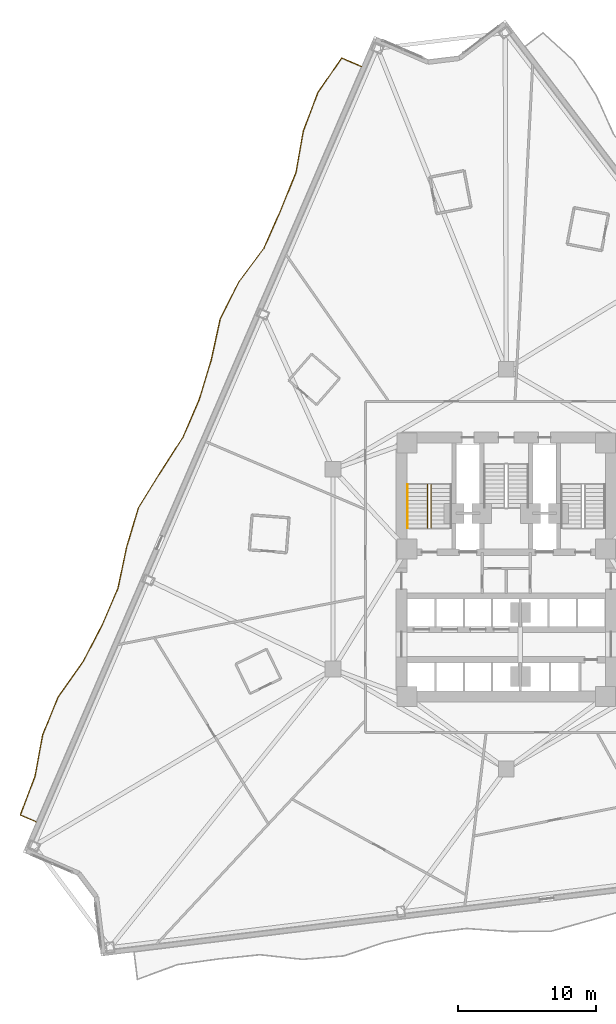
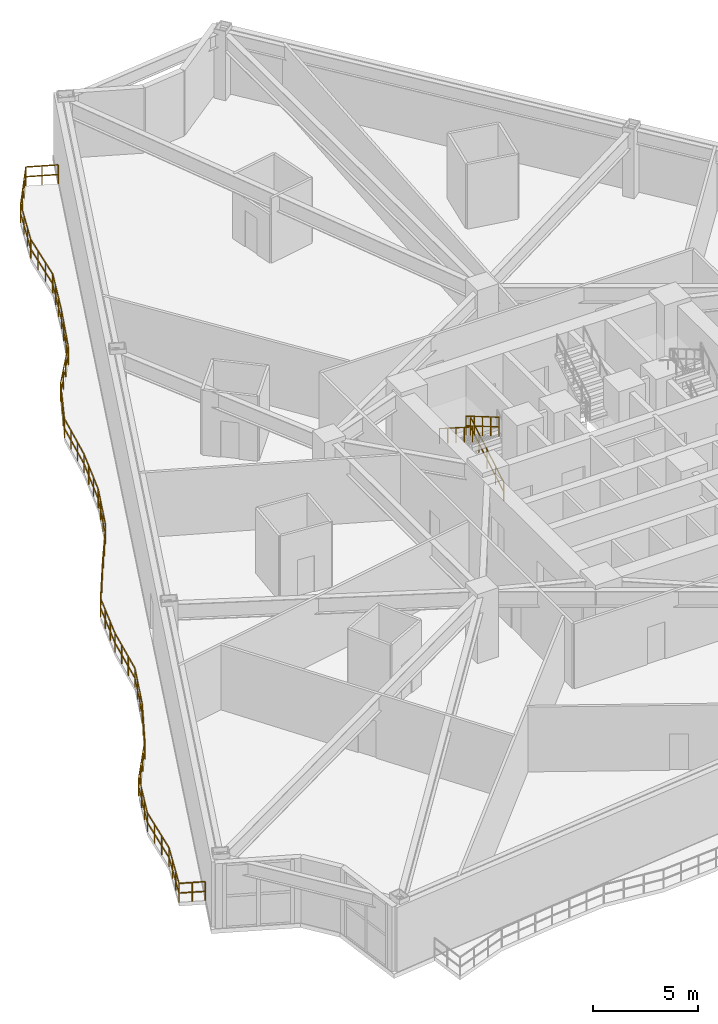
# One storey, part 15 of 17: 4 railings.
"""IFC4 building model written with IfcOpenShell, lengths in metres."""

from ifc_helpers import new_model, si_unit, direction, frame, origin, origin_2d, place, context, subcontext, project, spatial, rectangle, extrude, material, type_object, element, save


model = new_model("IFC4")

# Units and contexts
model_context = context("Model", 3, precision=1e-05, world=origin(), true_north=direction((0.0, 1.0)))
body_context = subcontext(model_context, "Body", "Model", "MODEL_VIEW")
ifc_project = project(units=[si_unit("LENGTHUNIT", "METRE"), si_unit("AREAUNIT", "SQUARE_METRE"), si_unit("VOLUMEUNIT", "CUBIC_METRE"), si_unit("PLANEANGLEUNIT", "RADIAN"), si_unit("MASSUNIT", "GRAM", prefix="KILO")], contexts=[model_context])

# Site, building, storey
site_placement = place(None, origin())
site = spatial("IfcSite", under=ifc_project, at=site_placement, CompositionType="ELEMENT")
building_placement = place(site_placement, origin())
building = spatial("IfcBuilding", under=site, at=building_placement, Name="Apsidion Concourse Tower", CompositionType="ELEMENT")
storey_placement = place(building_placement, frame((0.0, 0.0, 75.0)))
storey = spatial("IfcBuildingStorey", under=building, at=storey_placement, Name="L16", CompositionType="ELEMENT", Elevation=75.0)

# Railings
ifc_material = material(Name="Brushed stainless steel 316", Category="steel")
railing_type_1 = type_object("IfcRailingType", Name="RL-BAL-1120", PredefinedType="BALUSTRADE", material=ifc_material)
railing_1_placement = place(storey_placement, frame((-34.10107421875, -18.32958984375, 0.0)))
element("IfcRailing", 1, at=railing_1_placement, inside=storey, type_object=railing_type_1, Name="L16 Face 1 Rippling Balcony Balustrade", PredefinedType="BALUSTRADE", context=body_context, shape_type="SweptSolid", body=[
    extrude(rectangle(XDim=0.048095703125, YDim=0.048095703125, at=origin_2d()), frame((0.0, 0.0, 1.09619140625), z_axis=(-0.918547942359, 0.395309597137, 0.0), x_axis=(-0.395309597137, -0.918547942359, 0.0)), (0.0, 0.0, 1.0), 1.25),
    extrude(rectangle(XDim=0.048095703125, YDim=0.048095703125, at=origin_2d()), frame((0.0, 0.0, 0.5361328125), z_axis=(-0.918547942359, 0.395309597137, 0.0), x_axis=(-0.395309597137, -0.918547942359, 0.0)), (0.0, 0.0, 1.0), 1.25),
    extrude(rectangle(XDim=0.048095703125, YDim=0.048095703125, at=origin_2d()), frame((-1.148193359375, 0.494140625, 1.09619140625), z_axis=(0.355206328313, 0.934787924786, 0.0), x_axis=(-0.934787924786, 0.355206328313, 0.0)), (0.0, 0.0, 1.0), 2.98583984375),
    extrude(rectangle(XDim=0.048095703125, YDim=0.048095703125, at=origin_2d()), frame((-1.148193359375, 0.494140625, 0.5361328125), z_axis=(0.355206328313, 0.934787924786, 0.0), x_axis=(-0.934787924786, 0.355206328313, 0.0)), (0.0, 0.0, 1.0), 2.98583984375),
    extrude(rectangle(XDim=0.048095703125, YDim=0.048095703125, at=origin_2d()), frame((-0.087646484375, 3.28515625, 1.09619140625), z_axis=(0.180717676953, 0.983535012715, 0.0), x_axis=(-0.983535012715, 0.180717676953, 0.0)), (0.0, 0.0, 1.0), 3.059814453125),
    extrude(rectangle(XDim=0.048095703125, YDim=0.048095703125, at=origin_2d()), frame((-0.087646484375, 3.28515625, 0.5361328125), z_axis=(0.180717676953, 0.983535012715, 0.0), x_axis=(-0.983535012715, 0.180717676953, 0.0)), (0.0, 0.0, 1.0), 3.059814453125),
    extrude(rectangle(XDim=0.048095703125, YDim=0.048095703125, at=origin_2d()), frame((0.46533203125, 6.294677734375, 1.09619140625), z_axis=(0.37789986052, 0.925846475081, 0.0), x_axis=(-0.925846475081, 0.37789986052, 0.0)), (0.0, 0.0, 1.0), 2.9833984375),
    extrude(rectangle(XDim=0.048095703125, YDim=0.048095703125, at=origin_2d()), frame((0.46533203125, 6.294677734375, 0.5361328125), z_axis=(0.37789986052, 0.925846475081, 0.0), x_axis=(-0.925846475081, 0.37789986052, 0.0)), (0.0, 0.0, 1.0), 2.9833984375),
    extrude(rectangle(XDim=0.048095703125, YDim=0.048095703125, at=origin_2d()), frame((1.5927734375, 9.056884765625, 1.09619140625), z_axis=(0.578714383269, 0.815530295328, 0.0), x_axis=(-0.815530295328, 0.578714383269, 0.0)), (0.0, 0.0, 1.0), 3.050537109375),
    extrude(rectangle(XDim=0.048095703125, YDim=0.048095703125, at=origin_2d()), frame((1.5927734375, 9.056884765625, 0.5361328125), z_axis=(0.578714383269, 0.815530295328, 0.0), x_axis=(-0.815530295328, 0.578714383269, 0.0)), (0.0, 0.0, 1.0), 3.050537109375),
    extrude(rectangle(XDim=0.048095703125, YDim=0.048095703125, at=origin_2d()), frame((3.358154296875, 11.544677734375, 1.09619140625), z_axis=(0.464979428455, 0.885321484611, 0.0), x_axis=(-0.885321484611, 0.464979428455, 0.0)), (0.0, 0.0, 1.0), 2.99169921875),
    extrude(rectangle(XDim=0.048095703125, YDim=0.048095703125, at=origin_2d()), frame((3.358154296875, 11.544677734375, 0.5361328125), z_axis=(0.464979428455, 0.885321484611, 0.0), x_axis=(-0.885321484611, 0.464979428455, 0.0)), (0.0, 0.0, 1.0), 2.99169921875),
    extrude(rectangle(XDim=0.048095703125, YDim=0.048095703125, at=origin_2d()), frame((4.749267578125, 14.193359375, 1.09619140625), z_axis=(0.395479447574, 0.9184748263, 0.0), x_axis=(-0.9184748263, 0.395479447574, 0.0)), (0.0, 0.0, 1.0), 2.98291015625),
    extrude(rectangle(XDim=0.048095703125, YDim=0.048095703125, at=origin_2d()), frame((4.749267578125, 14.193359375, 0.5361328125), z_axis=(0.395479447574, 0.9184748263, 0.0), x_axis=(-0.9184748263, 0.395479447574, 0.0)), (0.0, 0.0, 1.0), 2.98291015625),
    extrude(rectangle(XDim=0.048095703125, YDim=0.048095703125, at=origin_2d()), frame((5.928955078125, 16.93310546875, 1.09619140625), z_axis=(0.206459339086, 0.97845518104, 0.0), x_axis=(-0.97845518104, 0.206459339086, 0.0)), (0.0, 0.0, 1.0), 3.042724609375),
    extrude(rectangle(XDim=0.048095703125, YDim=0.048095703125, at=origin_2d()), frame((5.928955078125, 16.93310546875, 0.5361328125), z_axis=(0.206459339086, 0.97845518104, 0.0), x_axis=(-0.97845518104, 0.206459339086, 0.0)), (0.0, 0.0, 1.0), 3.042724609375),
    extrude(rectangle(XDim=0.048095703125, YDim=0.048095703125, at=origin_2d()), frame((6.55712890625, 19.91015625, 1.09619140625), z_axis=(0.286393116531, 0.958112197398, 0.0), x_axis=(-0.958112197398, 0.286393116531, 0.0)), (0.0, 0.0, 1.0), 3.003173828125),
    extrude(rectangle(XDim=0.048095703125, YDim=0.048095703125, at=origin_2d()), frame((6.55712890625, 19.91015625, 0.5361328125), z_axis=(0.286393116531, 0.958112197398, 0.0), x_axis=(-0.958112197398, 0.286393116531, 0.0)), (0.0, 0.0, 1.0), 3.003173828125),
    extrude(rectangle(XDim=0.048095703125, YDim=0.048095703125, at=origin_2d()), frame((7.417236328125, 22.78759765625, 1.09619140625), z_axis=(0.526362975415, 0.850259970899, 0.0), x_axis=(-0.850259970899, 0.526362975415, 0.0)), (0.0, 0.0, 1.0), 3.015869140625),
    extrude(rectangle(XDim=0.048095703125, YDim=0.048095703125, at=origin_2d()), frame((7.417236328125, 22.78759765625, 0.5361328125), z_axis=(0.526362975415, 0.850259970899, 0.0), x_axis=(-0.850259970899, 0.526362975415, 0.0)), (0.0, 0.0, 1.0), 3.015869140625),
    extrude(rectangle(XDim=0.048095703125, YDim=0.048095703125, at=origin_2d()), frame((9.004638671875, 25.351806640625, 1.09619140625), z_axis=(0.542893180303, 0.839801759215, 0.0), x_axis=(-0.839801759215, 0.542893180303, 0.0)), (0.0, 0.0, 1.0), 3.025146484375),
    extrude(rectangle(XDim=0.048095703125, YDim=0.048095703125, at=origin_2d()), frame((9.004638671875, 25.351806640625, 0.5361328125), z_axis=(0.542893180303, 0.839801759215, 0.0), x_axis=(-0.839801759215, 0.542893180303, 0.0)), (0.0, 0.0, 1.0), 3.025146484375),
    extrude(rectangle(XDim=0.048095703125, YDim=0.048095703125, at=origin_2d()), frame((10.64697265625, 27.892333984375, 1.09619140625), z_axis=(0.395410399338, 0.918504554205, 0.0), x_axis=(-0.918504554205, 0.395410399338, 0.0)), (0.0, 0.0, 1.0), 2.98291015625),
    extrude(rectangle(XDim=0.048095703125, YDim=0.048095703125, at=origin_2d()), frame((10.64697265625, 27.892333984375, 0.5361328125), z_axis=(0.395410399338, 0.918504554205, 0.0), x_axis=(-0.918504554205, 0.395410399338, 0.0)), (0.0, 0.0, 1.0), 2.98291015625),
    extrude(rectangle(XDim=0.048095703125, YDim=0.048095703125, at=origin_2d()), frame((11.826416015625, 30.632080078125, 1.09619140625), z_axis=(0.290443038101, 0.956892283185, 0.0), x_axis=(-0.956892283185, 0.290443038101, 0.0)), (0.0, 0.0, 1.0), 3.001708984375),
    extrude(rectangle(XDim=0.048095703125, YDim=0.048095703125, at=origin_2d()), frame((11.826416015625, 30.632080078125, 0.5361328125), z_axis=(0.290443038101, 0.956892283185, 0.0), x_axis=(-0.956892283185, 0.290443038101, 0.0)), (0.0, 0.0, 1.0), 3.001708984375),
    extrude(rectangle(XDim=0.048095703125, YDim=0.048095703125, at=origin_2d()), frame((12.6982421875, 33.50439453125, 1.09619140625), z_axis=(0.213917356843, 0.976851761754, 0.0), x_axis=(-0.976851761754, 0.213917356843, 0.0)), (0.0, 0.0, 1.0), 3.0380859375),
    extrude(rectangle(XDim=0.048095703125, YDim=0.048095703125, at=origin_2d()), frame((12.6982421875, 33.50439453125, 0.5361328125), z_axis=(0.213917356843, 0.976851761754, 0.0), x_axis=(-0.976851761754, 0.213917356843, 0.0)), (0.0, 0.0, 1.0), 3.0380859375),
    extrude(rectangle(XDim=0.048095703125, YDim=0.048095703125, at=origin_2d()), frame((13.34814453125, 36.47216796875, 1.09619140625), z_axis=(0.447278962075, 0.894394504727, 0.0), x_axis=(-0.894394504727, 0.447278962075, 0.0)), (0.0, 0.0, 1.0), 2.98779296875),
    extrude(rectangle(XDim=0.048095703125, YDim=0.048095703125, at=origin_2d()), frame((13.34814453125, 36.47216796875, 0.5361328125), z_axis=(0.447278962075, 0.894394504727, 0.0), x_axis=(-0.894394504727, 0.447278962075, 0.0)), (0.0, 0.0, 1.0), 2.98779296875),
    extrude(rectangle(XDim=0.048095703125, YDim=0.048095703125, at=origin_2d()), frame((14.6845703125, 39.14453125, 1.09619140625), z_axis=(0.597206203424, 0.802087744945, 0.0), x_axis=(-0.802087744945, 0.597206203424, 0.0)), (0.0, 0.0, 1.0), 3.06591796875),
    extrude(rectangle(XDim=0.048095703125, YDim=0.048095703125, at=origin_2d()), frame((14.6845703125, 39.14453125, 0.5361328125), z_axis=(0.597206203424, 0.802087744945, 0.0), x_axis=(-0.802087744945, 0.597206203424, 0.0)), (0.0, 0.0, 1.0), 3.06591796875),
    extrude(rectangle(XDim=0.048095703125, YDim=0.048095703125, at=origin_2d()), frame((16.515625, 41.603759765625, 1.09619140625), z_axis=(0.405021944577, 0.914306963996, 0.0), x_axis=(-0.914306963996, 0.405021944577, 0.0)), (0.0, 0.0, 1.0), 2.983154296875),
    extrude(rectangle(XDim=0.048095703125, YDim=0.048095703125, at=origin_2d()), frame((16.515625, 41.603759765625, 0.5361328125), z_axis=(0.405021944577, 0.914306963996, 0.0), x_axis=(-0.914306963996, 0.405021944577, 0.0)), (0.0, 0.0, 1.0), 2.983154296875),
    extrude(rectangle(XDim=0.048095703125, YDim=0.048095703125, at=origin_2d()), frame((17.723876953125, 44.331298828125, 1.09619140625), z_axis=(0.375830463539, 0.926688438838, 0.0), x_axis=(-0.926688438838, 0.375830463539, 0.0)), (0.0, 0.0, 1.0), 2.983642578125),
    extrude(rectangle(XDim=0.048095703125, YDim=0.048095703125, at=origin_2d()), frame((17.723876953125, 44.331298828125, 0.5361328125), z_axis=(0.375830463539, 0.926688438838, 0.0), x_axis=(-0.926688438838, 0.375830463539, 0.0)), (0.0, 0.0, 1.0), 2.983642578125),
    extrude(rectangle(XDim=0.048095703125, YDim=0.048095703125, at=origin_2d()), frame((18.84521484375, 47.09619140625, 1.09619140625), z_axis=(0.174312504722, 0.984690383165, 0.0), x_axis=(-0.984690383165, 0.174312504722, 0.0)), (0.0, 0.0, 1.0), 3.064453125),
    extrude(rectangle(XDim=0.048095703125, YDim=0.048095703125, at=origin_2d()), frame((18.84521484375, 47.09619140625, 0.5361328125), z_axis=(0.174312504722, 0.984690383165, 0.0), x_axis=(-0.984690383165, 0.174312504722, 0.0)), (0.0, 0.0, 1.0), 3.064453125),
    extrude(rectangle(XDim=0.048095703125, YDim=0.048095703125, at=origin_2d()), frame((19.37939453125, 50.11376953125, 1.09619140625), z_axis=(0.354114388008, 0.935202117302, 0.0), x_axis=(-0.935202117302, 0.354114388008, 0.0)), (0.0, 0.0, 1.0), 2.986083984375),
    extrude(rectangle(XDim=0.048095703125, YDim=0.048095703125, at=origin_2d()), frame((19.37939453125, 50.11376953125, 0.5361328125), z_axis=(0.354114388008, 0.935202117302, 0.0), x_axis=(-0.935202117302, 0.354114388008, 0.0)), (0.0, 0.0, 1.0), 2.986083984375),
    extrude(rectangle(XDim=0.048095703125, YDim=0.048095703125, at=origin_2d()), frame((20.436767578125, 52.90625, 1.09619140625), z_axis=(0.568475323995, 0.822700313607, 0.0), x_axis=(-0.822700313607, 0.568475323995, 0.0)), (0.0, 0.0, 1.0), 3.042236328125),
    extrude(rectangle(XDim=0.048095703125, YDim=0.048095703125, at=origin_2d()), frame((20.436767578125, 52.90625, 0.5361328125), z_axis=(0.568475323995, 0.822700313607, 0.0), x_axis=(-0.822700313607, 0.568475323995, 0.0)), (0.0, 0.0, 1.0), 3.042236328125),
    extrude(rectangle(XDim=0.048095703125, YDim=0.048095703125, at=origin_2d()), frame((22.166259765625, 55.4091796875, 1.09619140625), z_axis=(0.918541108117, -0.395325476916, 0.0), x_axis=(0.395325476916, 0.918541108117, 0.0)), (0.0, 0.0, 1.0), 1.550048828125),
    extrude(rectangle(XDim=0.048095703125, YDim=0.048095703125, at=origin_2d()), frame((22.166259765625, 55.4091796875, 0.5361328125), z_axis=(0.918541108117, -0.395325476916, 0.0), x_axis=(0.395325476916, 0.918541108117, 0.0)), (0.0, 0.0, 1.0), 1.550048828125),
    extrude(rectangle(XDim=0.0419921875, YDim=0.0419921875, at=origin_2d()), origin(), (0.0, 0.0, 1.0), 1.072021484375),
    extrude(rectangle(XDim=0.0419921875, YDim=0.0419921875, at=origin_2d()), frame((-0.57421875, 0.2470703125, 0.0)), (0.0, 0.0, 1.0), 1.072021484375),
    extrude(rectangle(XDim=0.0419921875, YDim=0.0419921875, at=origin_2d()), frame((-1.148193359375, 0.494140625, 0.0)), (0.0, 0.0, 1.0), 1.072021484375),
    extrude(rectangle(XDim=0.0419921875, YDim=0.0419921875, at=origin_2d()), frame((-0.794677734375, 1.424560546875, 0.0)), (0.0, 0.0, 1.0), 1.072021484375),
    extrude(rectangle(XDim=0.0419921875, YDim=0.0419921875, at=origin_2d()), frame((-0.441162109375, 2.354736328125, 0.0)), (0.0, 0.0, 1.0), 1.072021484375),
    extrude(rectangle(XDim=0.0419921875, YDim=0.0419921875, at=origin_2d()), frame((-0.087646484375, 3.28515625, 0.0)), (0.0, 0.0, 1.0), 1.072021484375),
    extrude(rectangle(XDim=0.0419921875, YDim=0.0419921875, at=origin_2d()), frame((0.0966796875, 4.288330078125, 0.0)), (0.0, 0.0, 1.0), 1.072021484375),
    extrude(rectangle(XDim=0.0419921875, YDim=0.0419921875, at=origin_2d()), frame((0.281005859375, 5.29150390625, 0.0)), (0.0, 0.0, 1.0), 1.072021484375),
    extrude(rectangle(XDim=0.0419921875, YDim=0.0419921875, at=origin_2d()), frame((0.46533203125, 6.294677734375, 0.0)), (0.0, 0.0, 1.0), 1.072021484375),
    extrude(rectangle(XDim=0.0419921875, YDim=0.0419921875, at=origin_2d()), frame((0.841064453125, 7.21533203125, 0.0)), (0.0, 0.0, 1.0), 1.072021484375),
    extrude(rectangle(XDim=0.0419921875, YDim=0.0419921875, at=origin_2d()), frame((1.217041015625, 8.13623046875, 0.0)), (0.0, 0.0, 1.0), 1.072021484375),
    extrude(rectangle(XDim=0.0419921875, YDim=0.0419921875, at=origin_2d()), frame((1.5927734375, 9.056884765625, 0.0)), (0.0, 0.0, 1.0), 1.072021484375),
    extrude(rectangle(XDim=0.0419921875, YDim=0.0419921875, at=origin_2d()), frame((2.18115234375, 9.88623046875, 0.0)), (0.0, 0.0, 1.0), 1.072021484375),
    extrude(rectangle(XDim=0.0419921875, YDim=0.0419921875, at=origin_2d()), frame((2.769775390625, 10.71533203125, 0.0)), (0.0, 0.0, 1.0), 1.072021484375),
    extrude(rectangle(XDim=0.0419921875, YDim=0.0419921875, at=origin_2d()), frame((3.358154296875, 11.544677734375, 0.0)), (0.0, 0.0, 1.0), 1.072021484375),
    extrude(rectangle(XDim=0.0419921875, YDim=0.0419921875, at=origin_2d()), frame((3.82177734375, 12.427490234375, 0.0)), (0.0, 0.0, 1.0), 1.072021484375),
    extrude(rectangle(XDim=0.0419921875, YDim=0.0419921875, at=origin_2d()), frame((4.28564453125, 13.310546875, 0.0)), (0.0, 0.0, 1.0), 1.072021484375),
    extrude(rectangle(XDim=0.0419921875, YDim=0.0419921875, at=origin_2d()), frame((4.749267578125, 14.193359375, 0.0)), (0.0, 0.0, 1.0), 1.072021484375),
    extrude(rectangle(XDim=0.0419921875, YDim=0.0419921875, at=origin_2d()), frame((5.142578125, 15.106689453125, 0.0)), (0.0, 0.0, 1.0), 1.072021484375),
    extrude(rectangle(XDim=0.0419921875, YDim=0.0419921875, at=origin_2d()), frame((5.53564453125, 16.019775390625, 0.0)), (0.0, 0.0, 1.0), 1.072021484375),
    extrude(rectangle(XDim=0.0419921875, YDim=0.0419921875, at=origin_2d()), frame((5.928955078125, 16.93310546875, 0.0)), (0.0, 0.0, 1.0), 1.072021484375),
    extrude(rectangle(XDim=0.0419921875, YDim=0.0419921875, at=origin_2d()), frame((6.138427734375, 17.925537109375, 0.0)), (0.0, 0.0, 1.0), 1.072021484375),
    extrude(rectangle(XDim=0.0419921875, YDim=0.0419921875, at=origin_2d()), frame((6.34765625, 18.917724609375, 0.0)), (0.0, 0.0, 1.0), 1.072021484375),
    extrude(rectangle(XDim=0.0419921875, YDim=0.0419921875, at=origin_2d()), frame((6.55712890625, 19.91015625, 0.0)), (0.0, 0.0, 1.0), 1.072021484375),
    extrude(rectangle(XDim=0.0419921875, YDim=0.0419921875, at=origin_2d()), frame((6.84375, 20.869384765625, 0.0)), (0.0, 0.0, 1.0), 1.072021484375),
    extrude(rectangle(XDim=0.0419921875, YDim=0.0419921875, at=origin_2d()), frame((7.130615234375, 21.828369140625, 0.0)), (0.0, 0.0, 1.0), 1.072021484375),
    extrude(rectangle(XDim=0.0419921875, YDim=0.0419921875, at=origin_2d()), frame((7.417236328125, 22.78759765625, 0.0)), (0.0, 0.0, 1.0), 1.072021484375),
    extrude(rectangle(XDim=0.0419921875, YDim=0.0419921875, at=origin_2d()), frame((7.9462890625, 23.642333984375, 0.0)), (0.0, 0.0, 1.0), 1.072021484375),
    extrude(rectangle(XDim=0.0419921875, YDim=0.0419921875, at=origin_2d()), frame((8.4755859375, 24.4970703125, 0.0)), (0.0, 0.0, 1.0), 1.072021484375),
    extrude(rectangle(XDim=0.0419921875, YDim=0.0419921875, at=origin_2d()), frame((9.004638671875, 25.351806640625, 0.0)), (0.0, 0.0, 1.0), 1.072021484375),
    extrude(rectangle(XDim=0.0419921875, YDim=0.0419921875, at=origin_2d()), frame((9.552001953125, 26.19873046875, 0.0)), (0.0, 0.0, 1.0), 1.072021484375),
    extrude(rectangle(XDim=0.0419921875, YDim=0.0419921875, at=origin_2d()), frame((10.099609375, 27.04541015625, 0.0)), (0.0, 0.0, 1.0), 1.072021484375),
    extrude(rectangle(XDim=0.0419921875, YDim=0.0419921875, at=origin_2d()), frame((10.64697265625, 27.892333984375, 0.0)), (0.0, 0.0, 1.0), 1.072021484375),
    extrude(rectangle(XDim=0.0419921875, YDim=0.0419921875, at=origin_2d()), frame((11.0400390625, 28.8056640625, 0.0)), (0.0, 0.0, 1.0), 1.072021484375),
    extrude(rectangle(XDim=0.0419921875, YDim=0.0419921875, at=origin_2d()), frame((11.433349609375, 29.71875, 0.0)), (0.0, 0.0, 1.0), 1.072021484375),
    extrude(rectangle(XDim=0.0419921875, YDim=0.0419921875, at=origin_2d()), frame((11.826416015625, 30.632080078125, 0.0)), (0.0, 0.0, 1.0), 1.072021484375),
    extrude(rectangle(XDim=0.0419921875, YDim=0.0419921875, at=origin_2d()), frame((12.116943359375, 31.589599609375, 0.0)), (0.0, 0.0, 1.0), 1.072021484375),
    extrude(rectangle(XDim=0.0419921875, YDim=0.0419921875, at=origin_2d()), frame((12.40771484375, 32.546875, 0.0)), (0.0, 0.0, 1.0), 1.072021484375),
    extrude(rectangle(XDim=0.0419921875, YDim=0.0419921875, at=origin_2d()), frame((12.6982421875, 33.50439453125, 0.0)), (0.0, 0.0, 1.0), 1.072021484375),
    extrude(rectangle(XDim=0.0419921875, YDim=0.0419921875, at=origin_2d()), frame((12.914794921875, 34.49365234375, 0.0)), (0.0, 0.0, 1.0), 1.072021484375),
    extrude(rectangle(XDim=0.0419921875, YDim=0.0419921875, at=origin_2d()), frame((13.131591796875, 35.48291015625, 0.0)), (0.0, 0.0, 1.0), 1.072021484375),
    extrude(rectangle(XDim=0.0419921875, YDim=0.0419921875, at=origin_2d()), frame((13.34814453125, 36.47216796875, 0.0)), (0.0, 0.0, 1.0), 1.072021484375),
    extrude(rectangle(XDim=0.0419921875, YDim=0.0419921875, at=origin_2d()), frame((13.793701171875, 37.363037109375, 0.0)), (0.0, 0.0, 1.0), 1.072021484375),
    extrude(rectangle(XDim=0.0419921875, YDim=0.0419921875, at=origin_2d()), frame((14.239013671875, 38.253662109375, 0.0)), (0.0, 0.0, 1.0), 1.072021484375),
    extrude(rectangle(XDim=0.0419921875, YDim=0.0419921875, at=origin_2d()), frame((14.6845703125, 39.14453125, 0.0)), (0.0, 0.0, 1.0), 1.072021484375),
    extrude(rectangle(XDim=0.0419921875, YDim=0.0419921875, at=origin_2d()), frame((15.294921875, 39.96435546875, 0.0)), (0.0, 0.0, 1.0), 1.072021484375),
    extrude(rectangle(XDim=0.0419921875, YDim=0.0419921875, at=origin_2d()), frame((15.9052734375, 40.783935546875, 0.0)), (0.0, 0.0, 1.0), 1.072021484375),
    extrude(rectangle(XDim=0.0419921875, YDim=0.0419921875, at=origin_2d()), frame((16.515625, 41.603759765625, 0.0)), (0.0, 0.0, 1.0), 1.072021484375),
    extrude(rectangle(XDim=0.0419921875, YDim=0.0419921875, at=origin_2d()), frame((16.91845703125, 42.512939453125, 0.0)), (0.0, 0.0, 1.0), 1.072021484375),
    extrude(rectangle(XDim=0.0419921875, YDim=0.0419921875, at=origin_2d()), frame((17.321044921875, 43.422119140625, 0.0)), (0.0, 0.0, 1.0), 1.072021484375),
    extrude(rectangle(XDim=0.0419921875, YDim=0.0419921875, at=origin_2d()), frame((17.723876953125, 44.331298828125, 0.0)), (0.0, 0.0, 1.0), 1.072021484375),
    extrude(rectangle(XDim=0.0419921875, YDim=0.0419921875, at=origin_2d()), frame((18.09765625, 45.2529296875, 0.0)), (0.0, 0.0, 1.0), 1.072021484375),
    extrude(rectangle(XDim=0.0419921875, YDim=0.0419921875, at=origin_2d()), frame((18.471435546875, 46.174560546875, 0.0)), (0.0, 0.0, 1.0), 1.072021484375),
    extrude(rectangle(XDim=0.0419921875, YDim=0.0419921875, at=origin_2d()), frame((18.84521484375, 47.09619140625, 0.0)), (0.0, 0.0, 1.0), 1.072021484375),
    extrude(rectangle(XDim=0.0419921875, YDim=0.0419921875, at=origin_2d()), frame((19.023193359375, 48.10205078125, 0.0)), (0.0, 0.0, 1.0), 1.072021484375),
    extrude(rectangle(XDim=0.0419921875, YDim=0.0419921875, at=origin_2d()), frame((19.201416015625, 49.10791015625, 0.0)), (0.0, 0.0, 1.0), 1.072021484375),
    extrude(rectangle(XDim=0.0419921875, YDim=0.0419921875, at=origin_2d()), frame((19.37939453125, 50.11376953125, 0.0)), (0.0, 0.0, 1.0), 1.072021484375),
    extrude(rectangle(XDim=0.0419921875, YDim=0.0419921875, at=origin_2d()), frame((19.73193359375, 51.044677734375, 0.0)), (0.0, 0.0, 1.0), 1.072021484375),
    extrude(rectangle(XDim=0.0419921875, YDim=0.0419921875, at=origin_2d()), frame((20.084228515625, 51.975341796875, 0.0)), (0.0, 0.0, 1.0), 1.072021484375),
    extrude(rectangle(XDim=0.0419921875, YDim=0.0419921875, at=origin_2d()), frame((20.436767578125, 52.90625, 0.0)), (0.0, 0.0, 1.0), 1.072021484375),
    extrude(rectangle(XDim=0.0419921875, YDim=0.0419921875, at=origin_2d()), frame((21.01318359375, 53.740478515625, 0.0)), (0.0, 0.0, 1.0), 1.072021484375),
    extrude(rectangle(XDim=0.0419921875, YDim=0.0419921875, at=origin_2d()), frame((21.58984375, 54.574951171875, 0.0)), (0.0, 0.0, 1.0), 1.072021484375),
    extrude(rectangle(XDim=0.0419921875, YDim=0.0419921875, at=origin_2d()), frame((22.166259765625, 55.4091796875, 0.0)), (0.0, 0.0, 1.0), 1.072021484375),
    extrude(rectangle(XDim=0.0419921875, YDim=0.0419921875, at=origin_2d()), frame((22.878173828125, 55.102783203125, 0.0)), (0.0, 0.0, 1.0), 1.072021484375),
    extrude(rectangle(XDim=0.0419921875, YDim=0.0419921875, at=origin_2d()), frame((23.590087890625, 54.79638671875, 0.0)), (0.0, 0.0, 1.0), 1.072021484375),
])
railing_type_2 = type_object("IfcRailingType", Name="RL-GUARD-1100", PredefinedType="GUARDRAIL", material=ifc_material)
railing_2_placement = place(storey_placement, frame((-5.449951171875, 3.0, 0.166748046875)))
element("IfcRailing", 2, at=railing_2_placement, inside=storey, type_object=railing_type_2, Name="L16 ST1 stair guard 1", PredefinedType="GUARDRAIL", context=body_context, shape_type="SweptSolid", body=[
    extrude(rectangle(XDim=0.048095703125, YDim=0.048095703125, at=origin_2d()), frame((0.0, 0.0, 1.09619140625), z_axis=(0.0, 0.863239559939, 0.504794475164), x_axis=(-1.0, 0.0, 0.0)), (0.0, 0.0, 1.0), 3.631591796875),
    extrude(rectangle(XDim=0.048095703125, YDim=0.048095703125, at=origin_2d()), frame((0.0, 0.0, 0.5361328125), z_axis=(0.0, 0.863239559939, 0.504794475164), x_axis=(-1.0, 0.0, 0.0)), (0.0, 0.0, 1.0), 3.631591796875),
    extrude(rectangle(XDim=0.0419921875, YDim=0.0419921875, at=origin_2d()), origin(), (0.0, 0.0, 1.0), 1.072021484375),
    extrude(rectangle(XDim=0.0419921875, YDim=0.0419921875, at=origin_2d()), frame((0.0, 0.78369140625, 0.458251953125)), (0.0, 0.0, 1.0), 1.072021484375),
    extrude(rectangle(XDim=0.0419921875, YDim=0.0419921875, at=origin_2d()), frame((0.0, 1.5673828125, 0.91650390625)), (0.0, 0.0, 1.0), 1.072021484375),
    extrude(rectangle(XDim=0.0419921875, YDim=0.0419921875, at=origin_2d()), frame((0.0, 2.351318359375, 1.375)), (0.0, 0.0, 1.0), 1.072021484375),
    extrude(rectangle(XDim=0.0419921875, YDim=0.0419921875, at=origin_2d()), frame((0.0, 3.135009765625, 1.833251953125)), (0.0, 0.0, 1.0), 1.072021484375),
])
railing_3_placement = place(storey_placement, frame((-5.699951171875, 6.135009765625, 2.166748046875)))
element("IfcRailing", 3, at=railing_3_placement, inside=storey, type_object=railing_type_2, Name="L16 ST1 stair guard 3", PredefinedType="GUARDRAIL", context=body_context, shape_type="SweptSolid", body=[
    extrude(rectangle(XDim=0.048095703125, YDim=0.048095703125, at=origin_2d()), frame((0.0, 0.0, 1.09619140625), z_axis=(0.0, -0.863239559939, 0.504794475164), x_axis=(1.0, 0.0, 0.0)), (0.0, 0.0, 1.0), 3.631591796875),
    extrude(rectangle(XDim=0.048095703125, YDim=0.048095703125, at=origin_2d()), frame((0.0, 0.0, 0.5361328125), z_axis=(0.0, -0.863239559939, 0.504794475164), x_axis=(1.0, 0.0, 0.0)), (0.0, 0.0, 1.0), 3.631591796875),
    extrude(rectangle(XDim=0.0419921875, YDim=0.0419921875, at=origin_2d()), origin(), (0.0, 0.0, 1.0), 1.072021484375),
    extrude(rectangle(XDim=0.0419921875, YDim=0.0419921875, at=origin_2d()), frame((0.0, -0.78369140625, 0.458251953125)), (0.0, 0.0, 1.0), 1.072021484375),
    extrude(rectangle(XDim=0.0419921875, YDim=0.0419921875, at=origin_2d()), frame((0.0, -1.5673828125, 0.91650390625)), (0.0, 0.0, 1.0), 1.072021484375),
    extrude(rectangle(XDim=0.0419921875, YDim=0.0419921875, at=origin_2d()), frame((0.0, -2.351318359375, 1.375)), (0.0, 0.0, 1.0), 1.072021484375),
    extrude(rectangle(XDim=0.0419921875, YDim=0.0419921875, at=origin_2d()), frame((0.0, -3.135009765625, 1.833251953125)), (0.0, 0.0, 1.0), 1.072021484375),
])
railing_type_3 = type_object("IfcRailingType", Name="RL-HAND-900", PredefinedType="HANDRAIL", material=ifc_material)
railing_4_placement = place(storey_placement, frame((-7.14990234375, 6.135009765625, 2.166748046875)))
element("IfcRailing", 4, at=railing_4_placement, inside=storey, type_object=railing_type_3, Name="L16 ST1 stair handrail 2", PredefinedType="HANDRAIL", context=body_context, shape_type="SweptSolid", body=[
    extrude(rectangle(XDim=0.048095703125, YDim=0.048095703125, at=origin_2d()), frame((0.0, 0.0, 0.8759765625), z_axis=(0.0, -0.843052688722, 0.537830980921), x_axis=(1.0, 0.0, 0.0)), (0.0, 0.0, 1.0), 3.71875),
    extrude(rectangle(XDim=0.0419921875, YDim=0.0419921875, at=origin_2d()), origin(), (0.0, 0.0, 1.0), 0.851806640625),
    extrude(rectangle(XDim=0.0419921875, YDim=0.0419921875, at=origin_2d()), frame((0.0, -0.78369140625, 0.5)), (0.0, 0.0, 1.0), 0.851806640625),
    extrude(rectangle(XDim=0.0419921875, YDim=0.0419921875, at=origin_2d()), frame((0.0, -1.5673828125, 1.0)), (0.0, 0.0, 1.0), 0.851806640625),
    extrude(rectangle(XDim=0.0419921875, YDim=0.0419921875, at=origin_2d()), frame((0.0, -2.351318359375, 1.5)), (0.0, 0.0, 1.0), 0.851806640625),
    extrude(rectangle(XDim=0.0419921875, YDim=0.0419921875, at=origin_2d()), frame((0.0, -3.135009765625, 2.0)), (0.0, 0.0, 1.0), 0.851806640625),
])

save(model, "model.ifc")
